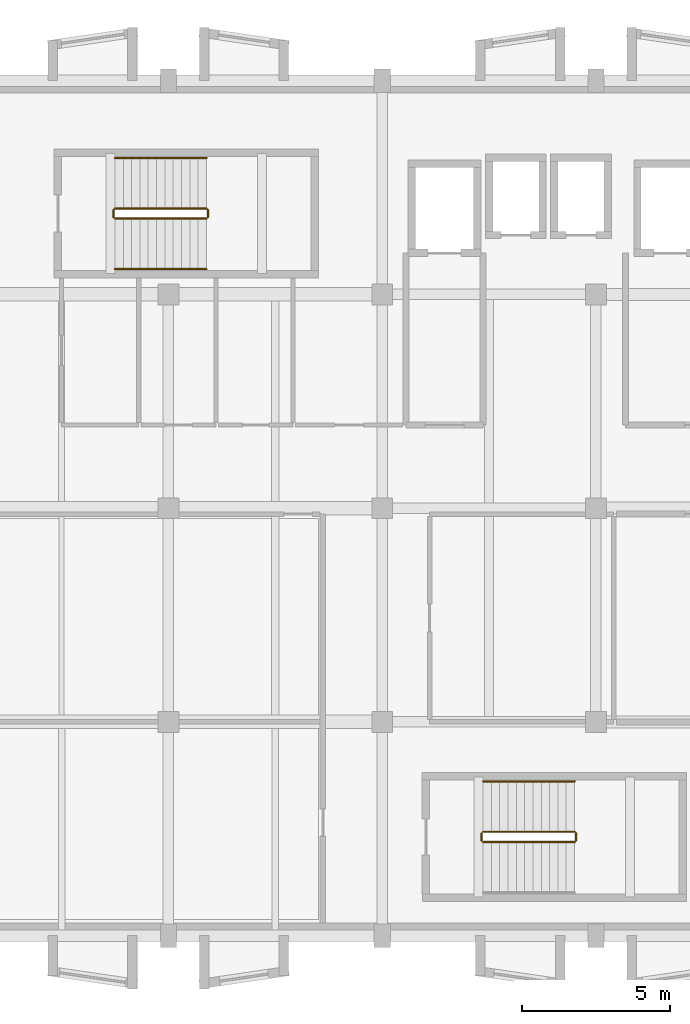
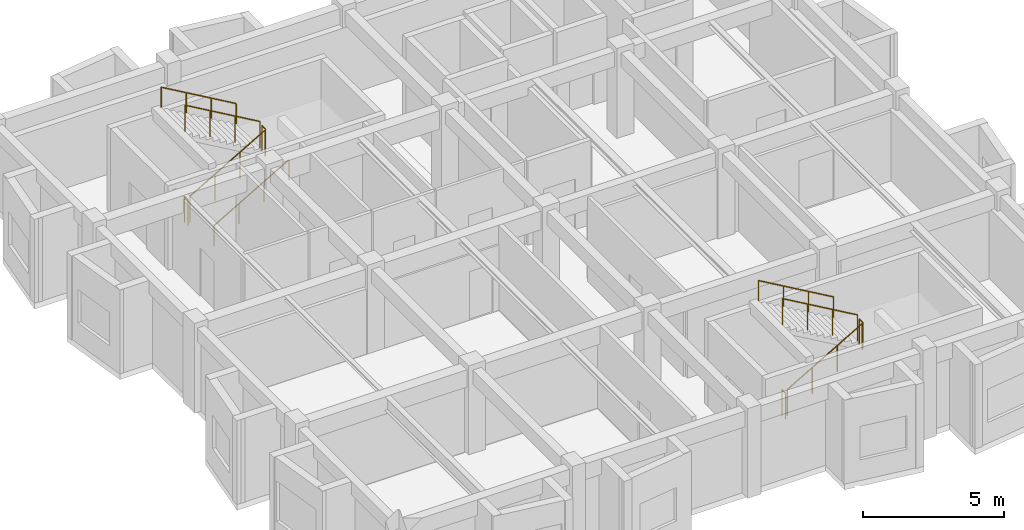
# One storey, part 20 of 20: 11 railings.
"""IFC4 building model written with IfcOpenShell, lengths in metres."""

from ifc_helpers import new_model, si_unit, direction, frame, origin, origin_2d, place, context, subcontext, project, spatial, circle, extrude, material, type_object, element, save


model = new_model("IFC4")

# Units and contexts
model_context = context("Model", 3, precision=1e-05, world=origin(), true_north=direction((0.0, 1.0)))
body_context = subcontext(model_context, "Body", "Model", "MODEL_VIEW")
ifc_project = project(units=[si_unit("LENGTHUNIT", "METRE"), si_unit("AREAUNIT", "SQUARE_METRE"), si_unit("VOLUMEUNIT", "CUBIC_METRE"), si_unit("PLANEANGLEUNIT", "RADIAN"), si_unit("MASSUNIT", "GRAM", prefix="KILO")], contexts=[model_context])

# Site, building, storey
site_placement = place(None, origin())
site = spatial("IfcSite", under=ifc_project, at=site_placement, CompositionType="ELEMENT")
building_placement = place(site_placement, origin())
building = spatial("IfcBuilding", under=site, at=building_placement, Name="Bramveld Media Centre", CompositionType="ELEMENT")
storey_placement = place(building_placement, frame((0.0, 0.0, 18.0)))
storey = spatial("IfcBuildingStorey", under=building, at=storey_placement, Name="L04", CompositionType="ELEMENT", Elevation=18.0)

# Railings
ifc_material_1 = material(Name="Painted galvanized steel stairwell guardrail", Category="steel")
railing_type_1 = type_object("IfcRailingType", Name="RAIL-STAIR-GUARD-1150", PredefinedType="GUARDRAIL", material=ifc_material_1)
railing_1_placement = place(storey_placement, frame((136.60009765625, 107.35009765625, 0.16259765625)))
element("IfcRailing", 1, at=railing_1_placement, inside=storey, type_object=railing_type_1, Name="L04 ST-01 stair guard 1", PredefinedType="GUARDRAIL", context=body_context, shape_type="SweptSolid", body=[
    extrude(circle(Radius=0.02392578125, at=origin_2d()), frame((0.0, 0.0, 1.1259765625), z_axis=(0.864903211148, 0.0, 0.501938676878), x_axis=(0.0, 1.0, 0.0)), (0.0, 0.0, 1.0), 3.560791015625),
    extrude(circle(Radius=0.02099609375, at=origin_2d()), origin(), (0.0, 0.0, 1.0), 1.101806640625),
    extrude(circle(Radius=0.02099609375, at=origin_2d()), frame((1.026611328125, 0.0, 0.595703125)), (0.0, 0.0, 1.0), 1.101806640625),
    extrude(circle(Radius=0.02099609375, at=origin_2d()), frame((2.05322265625, 0.0, 1.191650390625)), (0.0, 0.0, 1.0), 1.101806640625),
    extrude(circle(Radius=0.02099609375, at=origin_2d()), frame((3.079833984375, 0.0, 1.787353515625)), (0.0, 0.0, 1.0), 1.101806640625),
])
railing_2_placement = place(storey_placement, frame((139.72998046875, 107.39990234375, 1.949951171875)))
element("IfcRailing", 2, at=railing_2_placement, inside=storey, type_object=railing_type_1, Name="L04 ST-01 stair guard 2", PredefinedType="GUARDRAIL", context=body_context, shape_type="SweptSolid", body=[
    extrude(circle(Radius=0.02392578125, at=origin_2d()), frame((0.0, 0.0, 1.1259765625), z_axis=(0.0, 1.0, 0.0), x_axis=(-1.0, 0.0, 0.0)), (0.0, 0.0, 1.0), 0.25),
    extrude(circle(Radius=0.02099609375, at=origin_2d()), origin(), (0.0, 0.0, 1.0), 1.101806640625),
    extrude(circle(Radius=0.02099609375, at=origin_2d()), frame((0.0, 0.25, 0.0)), (0.0, 0.0, 1.0), 1.101806640625),
])
railing_3_placement = place(storey_placement, frame((139.679931640625, 107.699951171875, 2.112548828125)))
element("IfcRailing", 3, at=railing_3_placement, inside=storey, type_object=railing_type_1, Name="L04 ST-01 stair guard 3", PredefinedType="GUARDRAIL", context=body_context, shape_type="SweptSolid", body=[
    extrude(circle(Radius=0.02392578125, at=origin_2d()), frame((0.0, 0.0, 1.1259765625), z_axis=(-0.864903211148, 0.0, 0.501938676878), x_axis=(0.0, -1.0, 0.0)), (0.0, 0.0, 1.0), 3.560791015625),
    extrude(circle(Radius=0.02099609375, at=origin_2d()), origin(), (0.0, 0.0, 1.0), 1.101806640625),
    extrude(circle(Radius=0.02099609375, at=origin_2d()), frame((-1.026611328125, 0.0, 0.595703125)), (0.0, 0.0, 1.0), 1.101806640625),
    extrude(circle(Radius=0.02099609375, at=origin_2d()), frame((-2.05322265625, 0.0, 1.191650390625)), (0.0, 0.0, 1.0), 1.101806640625),
    extrude(circle(Radius=0.02099609375, at=origin_2d()), frame((-3.079833984375, 0.0, 1.787353515625)), (0.0, 0.0, 1.0), 1.101806640625),
])
railing_4_placement = place(storey_placement, frame((136.550048828125, 107.39990234375, 0.0)))
element("IfcRailing", 4, at=railing_4_placement, inside=storey, type_object=railing_type_1, Name="L04 ST-01 stair guard 4", PredefinedType="GUARDRAIL", context=body_context, shape_type="SweptSolid", body=[
    extrude(circle(Radius=0.02392578125, at=origin_2d()), frame((0.0, 0.0, 1.1259765625), z_axis=(0.0, 1.0, 0.0), x_axis=(-1.0, 0.0, 0.0)), (0.0, 0.0, 1.0), 0.25),
    extrude(circle(Radius=0.02099609375, at=origin_2d()), origin(), (0.0, 0.0, 1.0), 1.101806640625),
    extrude(circle(Radius=0.02099609375, at=origin_2d()), frame((0.0, 0.25, 0.0)), (0.0, 0.0, 1.0), 1.101806640625),
])
railing_5_placement = place(storey_placement, frame((149.0, 86.35009765625, 0.16259765625)))
element("IfcRailing", 5, at=railing_5_placement, inside=storey, type_object=railing_type_1, Name="L04 ST-02 stair guard 1", PredefinedType="GUARDRAIL", context=body_context, shape_type="SweptSolid", body=[
    extrude(circle(Radius=0.02392578125, at=origin_2d()), frame((0.0, 0.0, 1.1259765625), z_axis=(0.864920483161, 0.0, 0.501908913857), x_axis=(0.0, 1.0, 0.0)), (0.0, 0.0, 1.0), 3.56103515625),
    extrude(circle(Radius=0.02099609375, at=origin_2d()), origin(), (0.0, 0.0, 1.0), 1.101806640625),
    extrude(circle(Radius=0.02099609375, at=origin_2d()), frame((1.026611328125, 0.0, 0.595703125)), (0.0, 0.0, 1.0), 1.101806640625),
    extrude(circle(Radius=0.02099609375, at=origin_2d()), frame((2.053466796875, 0.0, 1.191650390625)), (0.0, 0.0, 1.0), 1.101806640625),
    extrude(circle(Radius=0.02099609375, at=origin_2d()), frame((3.080078125, 0.0, 1.787353515625)), (0.0, 0.0, 1.0), 1.101806640625),
])
railing_6_placement = place(storey_placement, frame((152.1298828125, 86.39990234375, 1.949951171875)))
element("IfcRailing", 6, at=railing_6_placement, inside=storey, type_object=railing_type_1, Name="L04 ST-02 stair guard 2", PredefinedType="GUARDRAIL", context=body_context, shape_type="SweptSolid", body=[
    extrude(circle(Radius=0.02392578125, at=origin_2d()), frame((0.0, 0.0, 1.1259765625), z_axis=(0.0, 1.0, 0.0), x_axis=(-1.0, 0.0, 0.0)), (0.0, 0.0, 1.0), 0.25),
    extrude(circle(Radius=0.02099609375, at=origin_2d()), origin(), (0.0, 0.0, 1.0), 1.101806640625),
    extrude(circle(Radius=0.02099609375, at=origin_2d()), frame((0.0, 0.25, 0.0)), (0.0, 0.0, 1.0), 1.101806640625),
])
railing_7_placement = place(storey_placement, frame((152.080078125, 86.699951171875, 2.112548828125)))
element("IfcRailing", 7, at=railing_7_placement, inside=storey, type_object=railing_type_1, Name="L04 ST-02 stair guard 3", PredefinedType="GUARDRAIL", context=body_context, shape_type="SweptSolid", body=[
    extrude(circle(Radius=0.02392578125, at=origin_2d()), frame((0.0, 0.0, 1.1259765625), z_axis=(-0.864920483161, 0.0, 0.501908913857), x_axis=(0.0, -1.0, 0.0)), (0.0, 0.0, 1.0), 3.56103515625),
    extrude(circle(Radius=0.02099609375, at=origin_2d()), origin(), (0.0, 0.0, 1.0), 1.101806640625),
    extrude(circle(Radius=0.02099609375, at=origin_2d()), frame((-1.026611328125, 0.0, 0.595703125)), (0.0, 0.0, 1.0), 1.101806640625),
    extrude(circle(Radius=0.02099609375, at=origin_2d()), frame((-2.053466796875, 0.0, 1.191650390625)), (0.0, 0.0, 1.0), 1.101806640625),
    extrude(circle(Radius=0.02099609375, at=origin_2d()), frame((-3.080078125, 0.0, 1.787353515625)), (0.0, 0.0, 1.0), 1.101806640625),
])
railing_8_placement = place(storey_placement, frame((148.949951171875, 86.39990234375, 0.0)))
element("IfcRailing", 8, at=railing_8_placement, inside=storey, type_object=railing_type_1, Name="L04 ST-02 stair guard 4", PredefinedType="GUARDRAIL", context=body_context, shape_type="SweptSolid", body=[
    extrude(circle(Radius=0.02392578125, at=origin_2d()), frame((0.0, 0.0, 1.1259765625), z_axis=(0.0, 1.0, 0.0), x_axis=(-1.0, 0.0, 0.0)), (0.0, 0.0, 1.0), 0.25),
    extrude(circle(Radius=0.02099609375, at=origin_2d()), origin(), (0.0, 0.0, 1.0), 1.101806640625),
    extrude(circle(Radius=0.02099609375, at=origin_2d()), frame((0.0, 0.25, 0.0)), (0.0, 0.0, 1.0), 1.101806640625),
])
ifc_material_2 = material(Name="Brushed stainless steel tubular stair handrail", Category="steel")
railing_type_2 = type_object("IfcRailingType", Name="RAIL-STAIR-HAND-0920", PredefinedType="HANDRAIL", material=ifc_material_2)
railing_9_placement = place(storey_placement, frame((136.60009765625, 105.64990234375, 0.16259765625)))
element("IfcRailing", 9, at=railing_9_placement, inside=storey, type_object=railing_type_2, Name="L04 ST-01 stair handrail 1", PredefinedType="HANDRAIL", context=body_context, shape_type="SweptSolid", body=[
    extrude(circle(Radius=0.02392578125, at=origin_2d()), frame((0.0, 0.0, 0.8759765625), z_axis=(0.864903211148, 0.0, 0.501938676878), x_axis=(0.0, 1.0, 0.0)), (0.0, 0.0, 1.0), 3.560791015625),
    extrude(circle(Radius=0.02099609375, at=origin_2d()), origin(), (0.0, 0.0, 1.0), 0.851806640625),
    extrude(circle(Radius=0.02099609375, at=origin_2d()), frame((1.026611328125, 0.0, 0.595703125)), (0.0, 0.0, 1.0), 0.851806640625),
    extrude(circle(Radius=0.02099609375, at=origin_2d()), frame((2.05322265625, 0.0, 1.191650390625)), (0.0, 0.0, 1.0), 0.851806640625),
    extrude(circle(Radius=0.02099609375, at=origin_2d()), frame((3.079833984375, 0.0, 1.787353515625)), (0.0, 0.0, 1.0), 0.851806640625),
])
railing_10_placement = place(storey_placement, frame((139.679931640625, 109.39990234375, 2.112548828125)))
element("IfcRailing", 10, at=railing_10_placement, inside=storey, type_object=railing_type_2, Name="L04 ST-01 stair handrail 2", PredefinedType="HANDRAIL", context=body_context, shape_type="SweptSolid", body=[
    extrude(circle(Radius=0.02392578125, at=origin_2d()), frame((0.0, 0.0, 0.8759765625), z_axis=(-0.864903211148, 0.0, 0.501938676878), x_axis=(0.0, -1.0, 0.0)), (0.0, 0.0, 1.0), 3.560791015625),
    extrude(circle(Radius=0.02099609375, at=origin_2d()), origin(), (0.0, 0.0, 1.0), 0.851806640625),
    extrude(circle(Radius=0.02099609375, at=origin_2d()), frame((-1.026611328125, 0.0, 0.595703125)), (0.0, 0.0, 1.0), 0.851806640625),
    extrude(circle(Radius=0.02099609375, at=origin_2d()), frame((-2.05322265625, 0.0, 1.191650390625)), (0.0, 0.0, 1.0), 0.851806640625),
    extrude(circle(Radius=0.02099609375, at=origin_2d()), frame((-3.079833984375, 0.0, 1.787353515625)), (0.0, 0.0, 1.0), 0.851806640625),
])
railing_11_placement = place(storey_placement, frame((152.080078125, 88.39990234375, 2.112548828125)))
element("IfcRailing", 11, at=railing_11_placement, inside=storey, type_object=railing_type_2, Name="L04 ST-02 stair handrail 2", PredefinedType="HANDRAIL", context=body_context, shape_type="SweptSolid", body=[
    extrude(circle(Radius=0.02392578125, at=origin_2d()), frame((0.0, 0.0, 0.8759765625), z_axis=(-0.864920483161, 0.0, 0.501908913857), x_axis=(0.0, -1.0, 0.0)), (0.0, 0.0, 1.0), 3.56103515625),
    extrude(circle(Radius=0.02099609375, at=origin_2d()), origin(), (0.0, 0.0, 1.0), 0.851806640625),
    extrude(circle(Radius=0.02099609375, at=origin_2d()), frame((-1.026611328125, 0.0, 0.595703125)), (0.0, 0.0, 1.0), 0.851806640625),
    extrude(circle(Radius=0.02099609375, at=origin_2d()), frame((-2.053466796875, 0.0, 1.191650390625)), (0.0, 0.0, 1.0), 0.851806640625),
    extrude(circle(Radius=0.02099609375, at=origin_2d()), frame((-3.080078125, 0.0, 1.787353515625)), (0.0, 0.0, 1.0), 0.851806640625),
])

save(model, "model.ifc")
